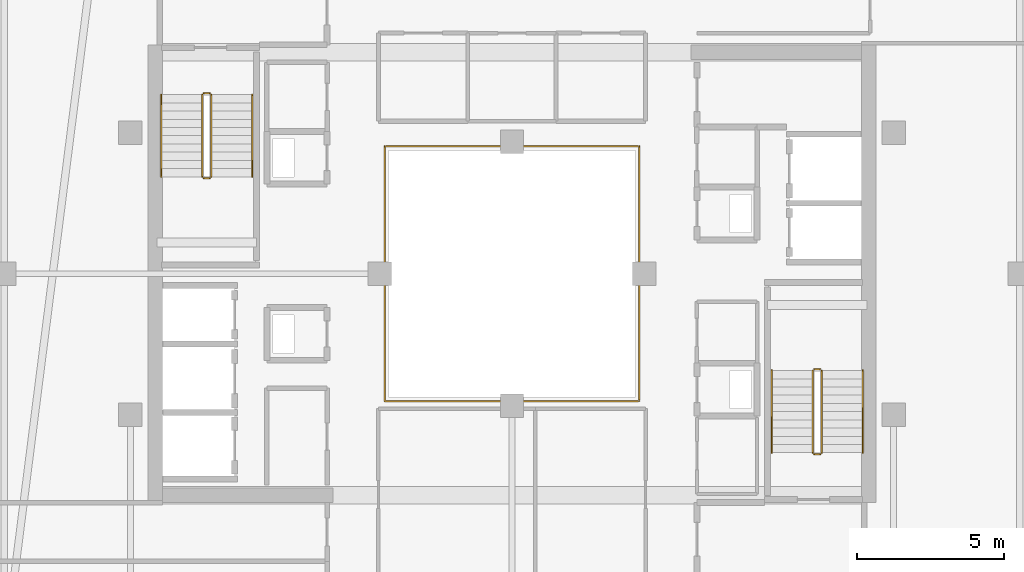
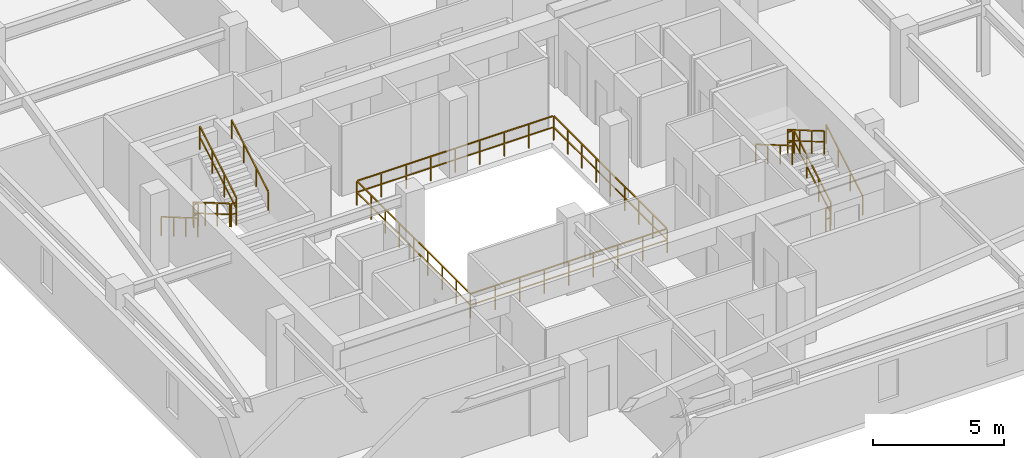
# One storey, part 34 of 35: 13 railings.
"""IFC4 building model written with IfcOpenShell, lengths in metres."""

from ifc_helpers import new_model, si_unit, direction, frame, origin, origin_2d, place, context, subcontext, project, spatial, rectangle, extrude, material, type_object, element, save


model = new_model("IFC4")

# Units and contexts
model_context = context("Model", 3, precision=1e-05, world=origin(), true_north=direction((0.0, 1.0)))
body_context = subcontext(model_context, "Body", "Model", "MODEL_VIEW")
ifc_project = project(units=[si_unit("LENGTHUNIT", "METRE"), si_unit("AREAUNIT", "SQUARE_METRE"), si_unit("VOLUMEUNIT", "CUBIC_METRE"), si_unit("PLANEANGLEUNIT", "RADIAN"), si_unit("MASSUNIT", "GRAM", prefix="KILO")], contexts=[model_context])

# Site, building, storey
site_placement = place(None, origin())
site = spatial("IfcSite", under=ifc_project, at=site_placement, CompositionType="ELEMENT")
building_placement = place(site_placement, origin())
building = spatial("IfcBuilding", under=site, at=building_placement, Name="Thornwick Lancets Civic Towers", CompositionType="ELEMENT")
storey_placement = place(building_placement, frame((0.0, 0.0, 276.300048828125)))
storey = spatial("IfcBuildingStorey", under=building, at=storey_placement, Name="L74", CompositionType="ELEMENT", Elevation=276.300048828125)

# Railings
ifc_material_1 = material(Name="Laminated glass and bronze steel S355", Category="steel")
railing_type_1 = type_object("IfcRailingType", Name="RAIL_ATRIUM_GUARD", PredefinedType="BALUSTRADE", material=ifc_material_1)
railing_1_placement = place(storey_placement, frame((84.159912109375, 22.659912109375, 0.0)))
element("IfcRailing", 1, at=railing_1_placement, inside=storey, type_object=railing_type_1, Name="L74 Tower B Central Atrium Guard Balustrade", PredefinedType="BALUSTRADE", context=body_context, shape_type="SweptSolid", body=[
    extrude(rectangle(XDim=0.048095703125, YDim=0.048095703125, at=origin_2d()), frame((0.0, 0.0, 1.1259765625), z_axis=(1.0, 0.0, 0.0), x_axis=(0.0, 1.0, 0.0)), (0.0, 0.0, 1.0), 8.64892578125),
    extrude(rectangle(XDim=0.0419921875, YDim=0.0419921875, at=origin_2d()), frame((0.03759765625, 0.0, 0.597900390625), z_axis=(1.0, 0.0, 0.0), x_axis=(0.0, 1.0, 0.0)), (0.0, 0.0, 1.0), 1.010009765625),
    extrude(rectangle(XDim=0.0419921875, YDim=0.0419921875, at=origin_2d()), frame((1.12255859375, 0.0, 0.597900390625), z_axis=(1.0, 0.0, 0.0), x_axis=(0.0, 1.0, 0.0)), (0.0, 0.0, 1.0), 1.010009765625),
    extrude(rectangle(XDim=0.0419921875, YDim=0.0419921875, at=origin_2d()), frame((2.20751953125, 0.0, 0.597900390625), z_axis=(1.0, 0.0, 0.0), x_axis=(0.0, 1.0, 0.0)), (0.0, 0.0, 1.0), 1.010009765625),
    extrude(rectangle(XDim=0.0419921875, YDim=0.0419921875, at=origin_2d()), frame((3.29248046875, 0.0, 0.597900390625), z_axis=(1.0, 0.0, 0.0), x_axis=(0.0, 1.0, 0.0)), (0.0, 0.0, 1.0), 1.010009765625),
    extrude(rectangle(XDim=0.0419921875, YDim=0.0419921875, at=origin_2d()), frame((4.377685546875, 0.0, 0.597900390625), z_axis=(1.0, 0.0, 0.0), x_axis=(0.0, 1.0, 0.0)), (0.0, 0.0, 1.0), 1.010009765625),
    extrude(rectangle(XDim=0.0419921875, YDim=0.0419921875, at=origin_2d()), frame((5.462646484375, 0.0, 0.597900390625), z_axis=(1.0, 0.0, 0.0), x_axis=(0.0, 1.0, 0.0)), (0.0, 0.0, 1.0), 1.010009765625),
    extrude(rectangle(XDim=0.0419921875, YDim=0.0419921875, at=origin_2d()), frame((6.547607421875, 0.0, 0.597900390625), z_axis=(1.0, 0.0, 0.0), x_axis=(0.0, 1.0, 0.0)), (0.0, 0.0, 1.0), 1.010009765625),
    extrude(rectangle(XDim=0.0419921875, YDim=0.0419921875, at=origin_2d()), frame((7.632568359375, 0.0, 0.597900390625), z_axis=(1.0, 0.0, 0.0), x_axis=(0.0, 1.0, 0.0)), (0.0, 0.0, 1.0), 1.010009765625),
    extrude(rectangle(XDim=0.048095703125, YDim=0.048095703125, at=origin_2d()), frame((8.68017578125, 0.03125, 1.1259765625), z_axis=(0.0, 1.0, 0.0), x_axis=(-1.0, 0.0, 0.0)), (0.0, 0.0, 1.0), 8.61767578125),
    extrude(rectangle(XDim=0.0419921875, YDim=0.0419921875, at=origin_2d()), frame((8.68017578125, 0.03759765625, 0.597900390625), z_axis=(0.0, 1.0, 0.0), x_axis=(-1.0, 0.0, 0.0)), (0.0, 0.0, 1.0), 1.010009765625),
    extrude(rectangle(XDim=0.0419921875, YDim=0.0419921875, at=origin_2d()), frame((8.68017578125, 1.12255859375, 0.597900390625), z_axis=(0.0, 1.0, 0.0), x_axis=(-1.0, 0.0, 0.0)), (0.0, 0.0, 1.0), 1.010009765625),
    extrude(rectangle(XDim=0.0419921875, YDim=0.0419921875, at=origin_2d()), frame((8.68017578125, 2.20751953125, 0.597900390625), z_axis=(0.0, 1.0, 0.0), x_axis=(-1.0, 0.0, 0.0)), (0.0, 0.0, 1.0), 1.010009765625),
    extrude(rectangle(XDim=0.0419921875, YDim=0.0419921875, at=origin_2d()), frame((8.68017578125, 3.29248046875, 0.597900390625), z_axis=(0.0, 1.0, 0.0), x_axis=(-1.0, 0.0, 0.0)), (0.0, 0.0, 1.0), 1.010009765625),
    extrude(rectangle(XDim=0.0419921875, YDim=0.0419921875, at=origin_2d()), frame((8.68017578125, 4.377685546875, 0.597900390625), z_axis=(0.0, 1.0, 0.0), x_axis=(-1.0, 0.0, 0.0)), (0.0, 0.0, 1.0), 1.010009765625),
    extrude(rectangle(XDim=0.0419921875, YDim=0.0419921875, at=origin_2d()), frame((8.68017578125, 5.462646484375, 0.597900390625), z_axis=(0.0, 1.0, 0.0), x_axis=(-1.0, 0.0, 0.0)), (0.0, 0.0, 1.0), 1.010009765625),
    extrude(rectangle(XDim=0.0419921875, YDim=0.0419921875, at=origin_2d()), frame((8.68017578125, 6.547607421875, 0.597900390625), z_axis=(0.0, 1.0, 0.0), x_axis=(-1.0, 0.0, 0.0)), (0.0, 0.0, 1.0), 1.010009765625),
    extrude(rectangle(XDim=0.0419921875, YDim=0.0419921875, at=origin_2d()), frame((8.68017578125, 7.632568359375, 0.597900390625), z_axis=(0.0, 1.0, 0.0), x_axis=(-1.0, 0.0, 0.0)), (0.0, 0.0, 1.0), 1.010009765625),
    extrude(rectangle(XDim=0.048095703125, YDim=0.048095703125, at=origin_2d()), frame((8.64892578125, 8.68017578125, 1.1259765625), z_axis=(-1.0, 0.0, 0.0), x_axis=(0.0, -1.0, 0.0)), (0.0, 0.0, 1.0), 8.61767578125),
    extrude(rectangle(XDim=0.0419921875, YDim=0.0419921875, at=origin_2d()), frame((8.642578125, 8.68017578125, 0.597900390625), z_axis=(-1.0, 0.0, 0.0), x_axis=(0.0, -1.0, 0.0)), (0.0, 0.0, 1.0), 1.010009765625),
    extrude(rectangle(XDim=0.0419921875, YDim=0.0419921875, at=origin_2d()), frame((7.5576171875, 8.68017578125, 0.597900390625), z_axis=(-1.0, 0.0, 0.0), x_axis=(0.0, -1.0, 0.0)), (0.0, 0.0, 1.0), 1.010009765625),
    extrude(rectangle(XDim=0.0419921875, YDim=0.0419921875, at=origin_2d()), frame((6.47265625, 8.68017578125, 0.597900390625), z_axis=(-1.0, 0.0, 0.0), x_axis=(0.0, -1.0, 0.0)), (0.0, 0.0, 1.0), 1.010009765625),
    extrude(rectangle(XDim=0.0419921875, YDim=0.0419921875, at=origin_2d()), frame((5.3876953125, 8.68017578125, 0.597900390625), z_axis=(-1.0, 0.0, 0.0), x_axis=(0.0, -1.0, 0.0)), (0.0, 0.0, 1.0), 1.010009765625),
    extrude(rectangle(XDim=0.0419921875, YDim=0.0419921875, at=origin_2d()), frame((4.302490234375, 8.68017578125, 0.597900390625), z_axis=(-1.0, 0.0, 0.0), x_axis=(0.0, -1.0, 0.0)), (0.0, 0.0, 1.0), 1.010009765625),
    extrude(rectangle(XDim=0.0419921875, YDim=0.0419921875, at=origin_2d()), frame((3.217529296875, 8.68017578125, 0.597900390625), z_axis=(-1.0, 0.0, 0.0), x_axis=(0.0, -1.0, 0.0)), (0.0, 0.0, 1.0), 1.010009765625),
    extrude(rectangle(XDim=0.0419921875, YDim=0.0419921875, at=origin_2d()), frame((2.132568359375, 8.68017578125, 0.597900390625), z_axis=(-1.0, 0.0, 0.0), x_axis=(0.0, -1.0, 0.0)), (0.0, 0.0, 1.0), 1.010009765625),
    extrude(rectangle(XDim=0.0419921875, YDim=0.0419921875, at=origin_2d()), frame((1.047607421875, 8.68017578125, 0.597900390625), z_axis=(-1.0, 0.0, 0.0), x_axis=(0.0, -1.0, 0.0)), (0.0, 0.0, 1.0), 1.010009765625),
    extrude(rectangle(XDim=0.048095703125, YDim=0.048095703125, at=origin_2d()), frame((0.0, 8.64892578125, 1.1259765625), z_axis=(0.0, -1.0, 0.0), x_axis=(1.0, 0.0, 0.0)), (0.0, 0.0, 1.0), 8.64892578125),
    extrude(rectangle(XDim=0.0419921875, YDim=0.0419921875, at=origin_2d()), frame((0.0, 8.642578125, 0.597900390625), z_axis=(0.0, -1.0, 0.0), x_axis=(1.0, 0.0, 0.0)), (0.0, 0.0, 1.0), 1.010009765625),
    extrude(rectangle(XDim=0.0419921875, YDim=0.0419921875, at=origin_2d()), frame((0.0, 7.5576171875, 0.597900390625), z_axis=(0.0, -1.0, 0.0), x_axis=(1.0, 0.0, 0.0)), (0.0, 0.0, 1.0), 1.010009765625),
    extrude(rectangle(XDim=0.0419921875, YDim=0.0419921875, at=origin_2d()), frame((0.0, 6.47265625, 0.597900390625), z_axis=(0.0, -1.0, 0.0), x_axis=(1.0, 0.0, 0.0)), (0.0, 0.0, 1.0), 1.010009765625),
    extrude(rectangle(XDim=0.0419921875, YDim=0.0419921875, at=origin_2d()), frame((0.0, 5.3876953125, 0.597900390625), z_axis=(0.0, -1.0, 0.0), x_axis=(1.0, 0.0, 0.0)), (0.0, 0.0, 1.0), 1.010009765625),
    extrude(rectangle(XDim=0.0419921875, YDim=0.0419921875, at=origin_2d()), frame((0.0, 4.302490234375, 0.597900390625), z_axis=(0.0, -1.0, 0.0), x_axis=(1.0, 0.0, 0.0)), (0.0, 0.0, 1.0), 1.010009765625),
    extrude(rectangle(XDim=0.0419921875, YDim=0.0419921875, at=origin_2d()), frame((0.0, 3.217529296875, 0.597900390625), z_axis=(0.0, -1.0, 0.0), x_axis=(1.0, 0.0, 0.0)), (0.0, 0.0, 1.0), 1.010009765625),
    extrude(rectangle(XDim=0.0419921875, YDim=0.0419921875, at=origin_2d()), frame((0.0, 2.132568359375, 0.597900390625), z_axis=(0.0, -1.0, 0.0), x_axis=(1.0, 0.0, 0.0)), (0.0, 0.0, 1.0), 1.010009765625),
    extrude(rectangle(XDim=0.0419921875, YDim=0.0419921875, at=origin_2d()), frame((0.0, 1.047607421875, 0.597900390625), z_axis=(0.0, -1.0, 0.0), x_axis=(1.0, 0.0, 0.0)), (0.0, 0.0, 1.0), 1.010009765625),
    extrude(rectangle(XDim=0.0419921875, YDim=0.0419921875, at=origin_2d()), origin(), (0.0, 0.0, 1.0), 1.095703125),
    extrude(rectangle(XDim=0.0419921875, YDim=0.0419921875, at=origin_2d()), frame((1.0849609375, 0.0, 0.0)), (0.0, 0.0, 1.0), 1.095703125),
    extrude(rectangle(XDim=0.0419921875, YDim=0.0419921875, at=origin_2d()), frame((2.169921875, 0.0, 0.0)), (0.0, 0.0, 1.0), 1.095703125),
    extrude(rectangle(XDim=0.0419921875, YDim=0.0419921875, at=origin_2d()), frame((3.255126953125, 0.0, 0.0)), (0.0, 0.0, 1.0), 1.095703125),
    extrude(rectangle(XDim=0.0419921875, YDim=0.0419921875, at=origin_2d()), frame((4.340087890625, 0.0, 0.0)), (0.0, 0.0, 1.0), 1.095703125),
    extrude(rectangle(XDim=0.0419921875, YDim=0.0419921875, at=origin_2d()), frame((5.425048828125, 0.0, 0.0)), (0.0, 0.0, 1.0), 1.095703125),
    extrude(rectangle(XDim=0.0419921875, YDim=0.0419921875, at=origin_2d()), frame((6.51025390625, 0.0, 0.0)), (0.0, 0.0, 1.0), 1.095703125),
    extrude(rectangle(XDim=0.0419921875, YDim=0.0419921875, at=origin_2d()), frame((7.59521484375, 0.0, 0.0)), (0.0, 0.0, 1.0), 1.095703125),
    extrude(rectangle(XDim=0.0419921875, YDim=0.0419921875, at=origin_2d()), frame((8.68017578125, 0.0, 0.0)), (0.0, 0.0, 1.0), 1.095703125),
    extrude(rectangle(XDim=0.0419921875, YDim=0.0419921875, at=origin_2d()), frame((8.68017578125, 1.0849609375, 0.0)), (0.0, 0.0, 1.0), 1.095703125),
    extrude(rectangle(XDim=0.0419921875, YDim=0.0419921875, at=origin_2d()), frame((8.68017578125, 2.169921875, 0.0)), (0.0, 0.0, 1.0), 1.095703125),
    extrude(rectangle(XDim=0.0419921875, YDim=0.0419921875, at=origin_2d()), frame((8.68017578125, 3.255126953125, 0.0)), (0.0, 0.0, 1.0), 1.095703125),
    extrude(rectangle(XDim=0.0419921875, YDim=0.0419921875, at=origin_2d()), frame((8.68017578125, 4.340087890625, 0.0)), (0.0, 0.0, 1.0), 1.095703125),
    extrude(rectangle(XDim=0.0419921875, YDim=0.0419921875, at=origin_2d()), frame((8.68017578125, 5.425048828125, 0.0)), (0.0, 0.0, 1.0), 1.095703125),
    extrude(rectangle(XDim=0.0419921875, YDim=0.0419921875, at=origin_2d()), frame((8.68017578125, 6.51025390625, 0.0)), (0.0, 0.0, 1.0), 1.095703125),
    extrude(rectangle(XDim=0.0419921875, YDim=0.0419921875, at=origin_2d()), frame((8.68017578125, 7.59521484375, 0.0)), (0.0, 0.0, 1.0), 1.095703125),
    extrude(rectangle(XDim=0.0419921875, YDim=0.0419921875, at=origin_2d()), frame((8.68017578125, 8.68017578125, 0.0)), (0.0, 0.0, 1.0), 1.095703125),
    extrude(rectangle(XDim=0.0419921875, YDim=0.0419921875, at=origin_2d()), frame((7.59521484375, 8.68017578125, 0.0)), (0.0, 0.0, 1.0), 1.095703125),
    extrude(rectangle(XDim=0.0419921875, YDim=0.0419921875, at=origin_2d()), frame((6.51025390625, 8.68017578125, 0.0)), (0.0, 0.0, 1.0), 1.095703125),
    extrude(rectangle(XDim=0.0419921875, YDim=0.0419921875, at=origin_2d()), frame((5.425048828125, 8.68017578125, 0.0)), (0.0, 0.0, 1.0), 1.095703125),
    extrude(rectangle(XDim=0.0419921875, YDim=0.0419921875, at=origin_2d()), frame((4.340087890625, 8.68017578125, 0.0)), (0.0, 0.0, 1.0), 1.095703125),
    extrude(rectangle(XDim=0.0419921875, YDim=0.0419921875, at=origin_2d()), frame((3.255126953125, 8.68017578125, 0.0)), (0.0, 0.0, 1.0), 1.095703125),
    extrude(rectangle(XDim=0.0419921875, YDim=0.0419921875, at=origin_2d()), frame((2.169921875, 8.68017578125, 0.0)), (0.0, 0.0, 1.0), 1.095703125),
    extrude(rectangle(XDim=0.0419921875, YDim=0.0419921875, at=origin_2d()), frame((1.0849609375, 8.68017578125, 0.0)), (0.0, 0.0, 1.0), 1.095703125),
    extrude(rectangle(XDim=0.0419921875, YDim=0.0419921875, at=origin_2d()), frame((0.0, 8.68017578125, 0.0)), (0.0, 0.0, 1.0), 1.095703125),
    extrude(rectangle(XDim=0.0419921875, YDim=0.0419921875, at=origin_2d()), frame((0.0, 7.59521484375, 0.0)), (0.0, 0.0, 1.0), 1.095703125),
    extrude(rectangle(XDim=0.0419921875, YDim=0.0419921875, at=origin_2d()), frame((0.0, 6.51025390625, 0.0)), (0.0, 0.0, 1.0), 1.095703125),
    extrude(rectangle(XDim=0.0419921875, YDim=0.0419921875, at=origin_2d()), frame((0.0, 5.425048828125, 0.0)), (0.0, 0.0, 1.0), 1.095703125),
    extrude(rectangle(XDim=0.0419921875, YDim=0.0419921875, at=origin_2d()), frame((0.0, 4.340087890625, 0.0)), (0.0, 0.0, 1.0), 1.095703125),
    extrude(rectangle(XDim=0.0419921875, YDim=0.0419921875, at=origin_2d()), frame((0.0, 3.255126953125, 0.0)), (0.0, 0.0, 1.0), 1.095703125),
    extrude(rectangle(XDim=0.0419921875, YDim=0.0419921875, at=origin_2d()), frame((0.0, 2.169921875, 0.0)), (0.0, 0.0, 1.0), 1.095703125),
    extrude(rectangle(XDim=0.0419921875, YDim=0.0419921875, at=origin_2d()), frame((0.0, 1.0849609375, 0.0)), (0.0, 0.0, 1.0), 1.095703125),
])
ifc_material_2 = material(Name="Brushed stainless steel S355", Category="steel")
railing_type_2 = type_object("IfcRailingType", Name="RAIL_HANDRAIL", PredefinedType="HANDRAIL", material=ifc_material_2)
railing_2_placement = place(storey_placement, frame((100.449951171875, 20.89990234375, 0.16357421875)))
element("IfcRailing", 2, at=railing_2_placement, inside=storey, type_object=railing_type_2, Name="L74 ST-B1 stair handrail 1", PredefinedType="HANDRAIL", context=body_context, shape_type="SweptSolid", body=[
    extrude(rectangle(XDim=0.048095703125, YDim=0.048095703125, at=origin_2d()), frame((0.0, 0.0, 0.8857421875), z_axis=(0.0, 0.863360870873, 0.504586966384), x_axis=(-1.0, 0.0, 0.0)), (0.0, 0.0, 1.0), 3.2431640625),
    extrude(rectangle(XDim=0.0419921875, YDim=0.0419921875, at=origin_2d()), origin(), (0.0, 0.0, 1.0), 0.855712890625),
    extrude(rectangle(XDim=0.0419921875, YDim=0.0419921875, at=origin_2d()), frame((0.0, 0.933349609375, 0.54541015625)), (0.0, 0.0, 1.0), 0.855712890625),
    extrude(rectangle(XDim=0.0419921875, YDim=0.0419921875, at=origin_2d()), frame((0.0, 1.86669921875, 1.091064453125)), (0.0, 0.0, 1.0), 0.855712890625),
    extrude(rectangle(XDim=0.0419921875, YDim=0.0419921875, at=origin_2d()), frame((0.0, 2.800048828125, 1.636474609375)), (0.0, 0.0, 1.0), 0.855712890625),
])
railing_3_placement = place(storey_placement, frame((97.35009765625, 23.699951171875, 1.963623046875)))
element("IfcRailing", 3, at=railing_3_placement, inside=storey, type_object=railing_type_2, Name="L74 ST-B1 stair handrail 2", PredefinedType="HANDRAIL", context=body_context, shape_type="SweptSolid", body=[
    extrude(rectangle(XDim=0.048095703125, YDim=0.048095703125, at=origin_2d()), frame((0.0, 0.0, 0.8857421875), z_axis=(0.0, -0.863393664356, 0.504530851732), x_axis=(1.0, 0.0, 0.0)), (0.0, 0.0, 1.0), 3.2431640625),
    extrude(rectangle(XDim=0.0419921875, YDim=0.0419921875, at=origin_2d()), origin(), (0.0, 0.0, 1.0), 0.855712890625),
    extrude(rectangle(XDim=0.0419921875, YDim=0.0419921875, at=origin_2d()), frame((0.0, -0.933349609375, 0.54541015625)), (0.0, 0.0, 1.0), 0.855712890625),
    extrude(rectangle(XDim=0.0419921875, YDim=0.0419921875, at=origin_2d()), frame((0.0, -1.86669921875, 1.0908203125)), (0.0, 0.0, 1.0), 0.855712890625),
    extrude(rectangle(XDim=0.0419921875, YDim=0.0419921875, at=origin_2d()), frame((0.0, -2.800048828125, 1.63623046875)), (0.0, 0.0, 1.0), 0.855712890625),
])
railing_4_placement = place(storey_placement, frame((76.550048828125, 33.10009765625, 0.16357421875)))
element("IfcRailing", 4, at=railing_4_placement, inside=storey, type_object=railing_type_2, Name="L74 ST-B2 stair handrail 1", PredefinedType="HANDRAIL", context=body_context, shape_type="SweptSolid", body=[
    extrude(rectangle(XDim=0.048095703125, YDim=0.048095703125, at=origin_2d()), frame((0.0, 0.0, 0.8857421875), z_axis=(0.0, -0.863360870873, 0.504586966384), x_axis=(1.0, 0.0, 0.0)), (0.0, 0.0, 1.0), 3.2431640625),
    extrude(rectangle(XDim=0.0419921875, YDim=0.0419921875, at=origin_2d()), origin(), (0.0, 0.0, 1.0), 0.855712890625),
    extrude(rectangle(XDim=0.0419921875, YDim=0.0419921875, at=origin_2d()), frame((0.0, -0.933349609375, 0.54541015625)), (0.0, 0.0, 1.0), 0.855712890625),
    extrude(rectangle(XDim=0.0419921875, YDim=0.0419921875, at=origin_2d()), frame((0.0, -1.86669921875, 1.091064453125)), (0.0, 0.0, 1.0), 0.855712890625),
    extrude(rectangle(XDim=0.0419921875, YDim=0.0419921875, at=origin_2d()), frame((0.0, -2.800048828125, 1.636474609375)), (0.0, 0.0, 1.0), 0.855712890625),
])
railing_5_placement = place(storey_placement, frame((79.64990234375, 30.300048828125, 1.963623046875)))
element("IfcRailing", 5, at=railing_5_placement, inside=storey, type_object=railing_type_2, Name="L74 ST-B2 stair handrail 2", PredefinedType="HANDRAIL", context=body_context, shape_type="SweptSolid", body=[
    extrude(rectangle(XDim=0.048095703125, YDim=0.048095703125, at=origin_2d()), frame((0.0, 0.0, 0.8857421875), z_axis=(0.0, 0.863393664356, 0.504530851732), x_axis=(-1.0, 0.0, 0.0)), (0.0, 0.0, 1.0), 3.2431640625),
    extrude(rectangle(XDim=0.0419921875, YDim=0.0419921875, at=origin_2d()), origin(), (0.0, 0.0, 1.0), 0.855712890625),
    extrude(rectangle(XDim=0.0419921875, YDim=0.0419921875, at=origin_2d()), frame((0.0, 0.933349609375, 0.54541015625)), (0.0, 0.0, 1.0), 0.855712890625),
    extrude(rectangle(XDim=0.0419921875, YDim=0.0419921875, at=origin_2d()), frame((0.0, 1.86669921875, 1.0908203125)), (0.0, 0.0, 1.0), 0.855712890625),
    extrude(rectangle(XDim=0.0419921875, YDim=0.0419921875, at=origin_2d()), frame((0.0, 2.800048828125, 1.63623046875)), (0.0, 0.0, 1.0), 0.855712890625),
])
ifc_material_3 = material(Name="Steel S355JR", Category="steel")
railing_type_3 = type_object("IfcRailingType", Name="RAIL_STAIR_GUARD", PredefinedType="GUARDRAIL", material=ifc_material_3)
railing_6_placement = place(storey_placement, frame((99.050048828125, 20.89990234375, 0.16357421875)))
element("IfcRailing", 6, at=railing_6_placement, inside=storey, type_object=railing_type_3, Name="L74 ST-B1 stair guard 1", PredefinedType="GUARDRAIL", context=body_context, shape_type="SweptSolid", body=[
    extrude(rectangle(XDim=0.048095703125, YDim=0.048095703125, at=origin_2d()), frame((0.0, 0.0, 1.076171875), z_axis=(0.0, 0.863360870873, 0.504586966384), x_axis=(-1.0, 0.0, 0.0)), (0.0, 0.0, 1.0), 3.2431640625),
    extrude(rectangle(XDim=0.0419921875, YDim=0.0419921875, at=origin_2d()), frame((0.0, 0.032470703125, 0.591064453125), z_axis=(0.0, 0.863360870873, 0.504586966384), x_axis=(-1.0, 0.0, 0.0)), (0.0, 0.0, 1.0), 1.006103515625),
    extrude(rectangle(XDim=0.0419921875, YDim=0.0419921875, at=origin_2d()), frame((0.0, 0.9658203125, 1.136474609375), z_axis=(0.0, 0.863360870873, 0.504586966384), x_axis=(-1.0, 0.0, 0.0)), (0.0, 0.0, 1.0), 1.006103515625),
    extrude(rectangle(XDim=0.0419921875, YDim=0.0419921875, at=origin_2d()), frame((0.0, 1.899169921875, 1.681884765625), z_axis=(0.0, 0.863360870873, 0.504586966384), x_axis=(-1.0, 0.0, 0.0)), (0.0, 0.0, 1.0), 1.006103515625),
    extrude(rectangle(XDim=0.0419921875, YDim=0.0419921875, at=origin_2d()), origin(), (0.0, 0.0, 1.0), 1.0458984375),
    extrude(rectangle(XDim=0.0419921875, YDim=0.0419921875, at=origin_2d()), frame((0.0, 0.933349609375, 0.54541015625)), (0.0, 0.0, 1.0), 1.0458984375),
    extrude(rectangle(XDim=0.0419921875, YDim=0.0419921875, at=origin_2d()), frame((0.0, 1.86669921875, 1.091064453125)), (0.0, 0.0, 1.0), 1.0458984375),
    extrude(rectangle(XDim=0.0419921875, YDim=0.0419921875, at=origin_2d()), frame((0.0, 2.800048828125, 1.636474609375)), (0.0, 0.0, 1.0), 1.0458984375),
])
railing_7_placement = place(storey_placement, frame((99.0, 23.75, 1.800048828125)))
element("IfcRailing", 7, at=railing_7_placement, inside=storey, type_object=railing_type_3, Name="L74 ST-B1 stair guard 2", PredefinedType="GUARDRAIL", context=body_context, shape_type="SweptSolid", body=[
    extrude(rectangle(XDim=0.048095703125, YDim=0.048095703125, at=origin_2d()), frame((0.0, 0.0, 1.076171875), z_axis=(-1.0, 0.0, 0.0), x_axis=(0.0, -1.0, 0.0)), (0.0, 0.0, 1.0), 0.199951171875),
    extrude(rectangle(XDim=0.0419921875, YDim=0.0419921875, at=origin_2d()), frame((-0.03759765625, 0.0, 0.572021484375), z_axis=(-1.0, 0.0, 0.0), x_axis=(0.0, -1.0, 0.0)), (0.0, 0.0, 1.0), 0.125),
    extrude(rectangle(XDim=0.0419921875, YDim=0.0419921875, at=origin_2d()), origin(), (0.0, 0.0, 1.0), 1.0458984375),
    extrude(rectangle(XDim=0.0419921875, YDim=0.0419921875, at=origin_2d()), frame((-0.199951171875, 0.0, 0.0)), (0.0, 0.0, 1.0), 1.0458984375),
])
railing_8_placement = place(storey_placement, frame((98.75, 23.699951171875, 1.963623046875)))
element("IfcRailing", 8, at=railing_8_placement, inside=storey, type_object=railing_type_3, Name="L74 ST-B1 stair guard 3", PredefinedType="GUARDRAIL", context=body_context, shape_type="SweptSolid", body=[
    extrude(rectangle(XDim=0.048095703125, YDim=0.048095703125, at=origin_2d()), frame((0.0, 0.0, 1.076171875), z_axis=(0.0, -0.863393664356, 0.504530851732), x_axis=(1.0, 0.0, 0.0)), (0.0, 0.0, 1.0), 3.2431640625),
    extrude(rectangle(XDim=0.0419921875, YDim=0.0419921875, at=origin_2d()), frame((0.0, -0.032470703125, 0.591064453125), z_axis=(0.0, -0.863393664356, 0.504530851732), x_axis=(1.0, 0.0, 0.0)), (0.0, 0.0, 1.0), 1.006103515625),
    extrude(rectangle(XDim=0.0419921875, YDim=0.0419921875, at=origin_2d()), frame((0.0, -0.9658203125, 1.136474609375), z_axis=(0.0, -0.863393664356, 0.504530851732), x_axis=(1.0, 0.0, 0.0)), (0.0, 0.0, 1.0), 1.006103515625),
    extrude(rectangle(XDim=0.0419921875, YDim=0.0419921875, at=origin_2d()), frame((0.0, -1.899169921875, 1.681884765625), z_axis=(0.0, -0.863393664356, 0.504530851732), x_axis=(1.0, 0.0, 0.0)), (0.0, 0.0, 1.0), 1.006103515625),
    extrude(rectangle(XDim=0.0419921875, YDim=0.0419921875, at=origin_2d()), origin(), (0.0, 0.0, 1.0), 1.0458984375),
    extrude(rectangle(XDim=0.0419921875, YDim=0.0419921875, at=origin_2d()), frame((0.0, -0.933349609375, 0.54541015625)), (0.0, 0.0, 1.0), 1.0458984375),
    extrude(rectangle(XDim=0.0419921875, YDim=0.0419921875, at=origin_2d()), frame((0.0, -1.86669921875, 1.0908203125)), (0.0, 0.0, 1.0), 1.0458984375),
    extrude(rectangle(XDim=0.0419921875, YDim=0.0419921875, at=origin_2d()), frame((0.0, -2.800048828125, 1.63623046875)), (0.0, 0.0, 1.0), 1.0458984375),
])
railing_9_placement = place(storey_placement, frame((99.0, 20.85009765625, 0.0)))
element("IfcRailing", 9, at=railing_9_placement, inside=storey, type_object=railing_type_3, Name="L74 ST-B1 stair guard 4", PredefinedType="GUARDRAIL", context=body_context, shape_type="SweptSolid", body=[
    extrude(rectangle(XDim=0.048095703125, YDim=0.048095703125, at=origin_2d()), frame((0.0, 0.0, 1.076171875), z_axis=(-1.0, 0.0, 0.0), x_axis=(0.0, -1.0, 0.0)), (0.0, 0.0, 1.0), 0.199951171875),
    extrude(rectangle(XDim=0.0419921875, YDim=0.0419921875, at=origin_2d()), frame((-0.03759765625, 0.0, 0.572021484375), z_axis=(-1.0, 0.0, 0.0), x_axis=(0.0, -1.0, 0.0)), (0.0, 0.0, 1.0), 0.125),
    extrude(rectangle(XDim=0.0419921875, YDim=0.0419921875, at=origin_2d()), origin(), (0.0, 0.0, 1.0), 1.0458984375),
    extrude(rectangle(XDim=0.0419921875, YDim=0.0419921875, at=origin_2d()), frame((-0.199951171875, 0.0, 0.0)), (0.0, 0.0, 1.0), 1.0458984375),
])
railing_10_placement = place(storey_placement, frame((77.949951171875, 33.10009765625, 0.16357421875)))
element("IfcRailing", 10, at=railing_10_placement, inside=storey, type_object=railing_type_3, Name="L74 ST-B2 stair guard 1", PredefinedType="GUARDRAIL", context=body_context, shape_type="SweptSolid", body=[
    extrude(rectangle(XDim=0.048095703125, YDim=0.048095703125, at=origin_2d()), frame((0.0, 0.0, 1.076171875), z_axis=(0.0, -0.863360870873, 0.504586966384), x_axis=(1.0, 0.0, 0.0)), (0.0, 0.0, 1.0), 3.2431640625),
    extrude(rectangle(XDim=0.0419921875, YDim=0.0419921875, at=origin_2d()), frame((0.0, -0.032470703125, 0.591064453125), z_axis=(0.0, -0.863360870873, 0.504586966384), x_axis=(1.0, 0.0, 0.0)), (0.0, 0.0, 1.0), 1.006103515625),
    extrude(rectangle(XDim=0.0419921875, YDim=0.0419921875, at=origin_2d()), frame((0.0, -0.9658203125, 1.136474609375), z_axis=(0.0, -0.863360870873, 0.504586966384), x_axis=(1.0, 0.0, 0.0)), (0.0, 0.0, 1.0), 1.006103515625),
    extrude(rectangle(XDim=0.0419921875, YDim=0.0419921875, at=origin_2d()), frame((0.0, -1.899169921875, 1.681884765625), z_axis=(0.0, -0.863360870873, 0.504586966384), x_axis=(1.0, 0.0, 0.0)), (0.0, 0.0, 1.0), 1.006103515625),
    extrude(rectangle(XDim=0.0419921875, YDim=0.0419921875, at=origin_2d()), origin(), (0.0, 0.0, 1.0), 1.0458984375),
    extrude(rectangle(XDim=0.0419921875, YDim=0.0419921875, at=origin_2d()), frame((0.0, -0.933349609375, 0.54541015625)), (0.0, 0.0, 1.0), 1.0458984375),
    extrude(rectangle(XDim=0.0419921875, YDim=0.0419921875, at=origin_2d()), frame((0.0, -1.86669921875, 1.091064453125)), (0.0, 0.0, 1.0), 1.0458984375),
    extrude(rectangle(XDim=0.0419921875, YDim=0.0419921875, at=origin_2d()), frame((0.0, -2.800048828125, 1.636474609375)), (0.0, 0.0, 1.0), 1.0458984375),
])
railing_11_placement = place(storey_placement, frame((78.0, 30.25, 1.800048828125)))
element("IfcRailing", 11, at=railing_11_placement, inside=storey, type_object=railing_type_3, Name="L74 ST-B2 stair guard 2", PredefinedType="GUARDRAIL", context=body_context, shape_type="SweptSolid", body=[
    extrude(rectangle(XDim=0.048095703125, YDim=0.048095703125, at=origin_2d()), frame((0.0, 0.0, 1.076171875), z_axis=(1.0, 0.0, 0.0), x_axis=(0.0, 1.0, 0.0)), (0.0, 0.0, 1.0), 0.199951171875),
    extrude(rectangle(XDim=0.0419921875, YDim=0.0419921875, at=origin_2d()), frame((0.03759765625, 0.0, 0.572021484375), z_axis=(1.0, 0.0, 0.0), x_axis=(0.0, 1.0, 0.0)), (0.0, 0.0, 1.0), 0.125),
    extrude(rectangle(XDim=0.0419921875, YDim=0.0419921875, at=origin_2d()), origin(), (0.0, 0.0, 1.0), 1.0458984375),
    extrude(rectangle(XDim=0.0419921875, YDim=0.0419921875, at=origin_2d()), frame((0.199951171875, 0.0, 0.0)), (0.0, 0.0, 1.0), 1.0458984375),
])
railing_12_placement = place(storey_placement, frame((78.25, 30.300048828125, 1.963623046875)))
element("IfcRailing", 12, at=railing_12_placement, inside=storey, type_object=railing_type_3, Name="L74 ST-B2 stair guard 3", PredefinedType="GUARDRAIL", context=body_context, shape_type="SweptSolid", body=[
    extrude(rectangle(XDim=0.048095703125, YDim=0.048095703125, at=origin_2d()), frame((0.0, 0.0, 1.076171875), z_axis=(0.0, 0.863393664356, 0.504530851732), x_axis=(-1.0, 0.0, 0.0)), (0.0, 0.0, 1.0), 3.2431640625),
    extrude(rectangle(XDim=0.0419921875, YDim=0.0419921875, at=origin_2d()), frame((0.0, 0.032470703125, 0.591064453125), z_axis=(0.0, 0.863393664356, 0.504530851732), x_axis=(-1.0, 0.0, 0.0)), (0.0, 0.0, 1.0), 1.006103515625),
    extrude(rectangle(XDim=0.0419921875, YDim=0.0419921875, at=origin_2d()), frame((0.0, 0.9658203125, 1.136474609375), z_axis=(0.0, 0.863393664356, 0.504530851732), x_axis=(-1.0, 0.0, 0.0)), (0.0, 0.0, 1.0), 1.006103515625),
    extrude(rectangle(XDim=0.0419921875, YDim=0.0419921875, at=origin_2d()), frame((0.0, 1.899169921875, 1.681884765625), z_axis=(0.0, 0.863393664356, 0.504530851732), x_axis=(-1.0, 0.0, 0.0)), (0.0, 0.0, 1.0), 1.006103515625),
    extrude(rectangle(XDim=0.0419921875, YDim=0.0419921875, at=origin_2d()), origin(), (0.0, 0.0, 1.0), 1.0458984375),
    extrude(rectangle(XDim=0.0419921875, YDim=0.0419921875, at=origin_2d()), frame((0.0, 0.933349609375, 0.54541015625)), (0.0, 0.0, 1.0), 1.0458984375),
    extrude(rectangle(XDim=0.0419921875, YDim=0.0419921875, at=origin_2d()), frame((0.0, 1.86669921875, 1.0908203125)), (0.0, 0.0, 1.0), 1.0458984375),
    extrude(rectangle(XDim=0.0419921875, YDim=0.0419921875, at=origin_2d()), frame((0.0, 2.800048828125, 1.63623046875)), (0.0, 0.0, 1.0), 1.0458984375),
])
railing_13_placement = place(storey_placement, frame((78.0, 33.14990234375, 0.0)))
element("IfcRailing", 13, at=railing_13_placement, inside=storey, type_object=railing_type_3, Name="L74 ST-B2 stair guard 4", PredefinedType="GUARDRAIL", context=body_context, shape_type="SweptSolid", body=[
    extrude(rectangle(XDim=0.048095703125, YDim=0.048095703125, at=origin_2d()), frame((0.0, 0.0, 1.076171875), z_axis=(1.0, 0.0, 0.0), x_axis=(0.0, 1.0, 0.0)), (0.0, 0.0, 1.0), 0.199951171875),
    extrude(rectangle(XDim=0.0419921875, YDim=0.0419921875, at=origin_2d()), frame((0.03759765625, 0.0, 0.572021484375), z_axis=(1.0, 0.0, 0.0), x_axis=(0.0, 1.0, 0.0)), (0.0, 0.0, 1.0), 0.125),
    extrude(rectangle(XDim=0.0419921875, YDim=0.0419921875, at=origin_2d()), origin(), (0.0, 0.0, 1.0), 1.0458984375),
    extrude(rectangle(XDim=0.0419921875, YDim=0.0419921875, at=origin_2d()), frame((0.199951171875, 0.0, 0.0)), (0.0, 0.0, 1.0), 1.0458984375),
])

save(model, "model.ifc")
